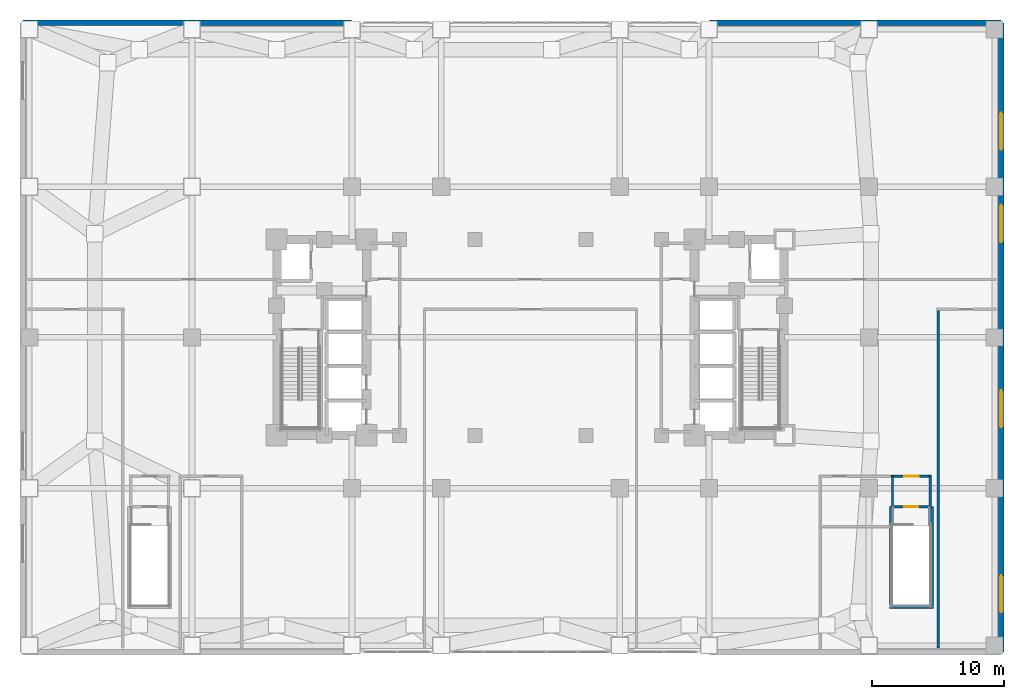
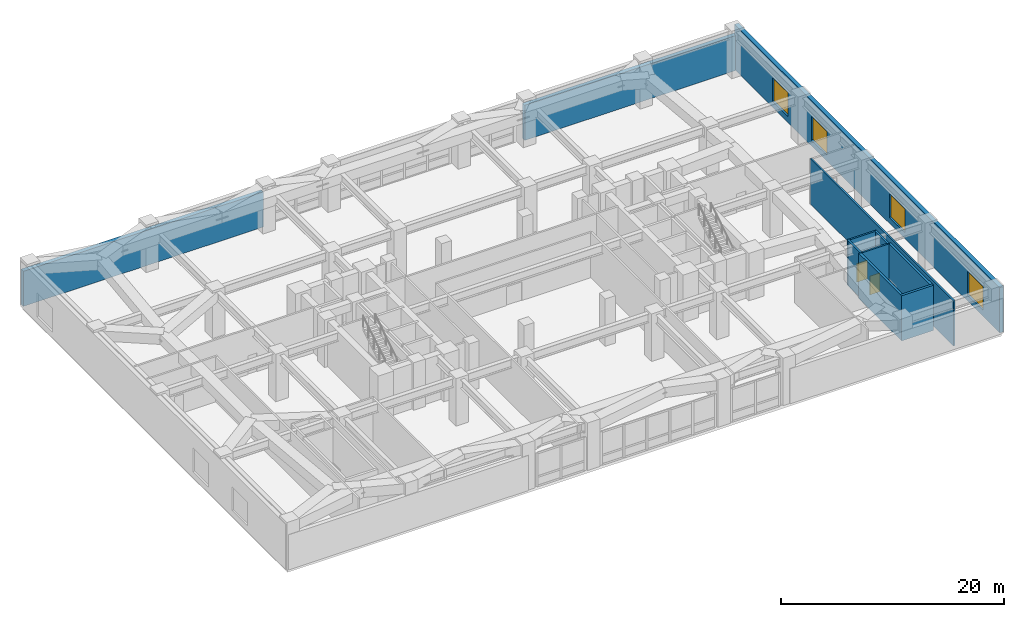
# One storey, part 17 of 20: 11 walls, 4 windows, 2 doors, 6 openings.
"""IFC4 building model written with IfcOpenShell, lengths in metres."""

from ifc_helpers import new_model, si_unit, direction, frame, frame_2d, origin, place, context, subcontext, project, spatial, rectangle, extrude, material, layer, layer_set, type_object, element, fill, save


model = new_model("IFC4")

# Units and contexts
model_context = context("Model", 3, precision=1e-05, world=origin(), true_north=direction((0.0, 1.0)))
body_context = subcontext(model_context, "Body", "Model", "MODEL_VIEW")
ifc_project = project(units=[si_unit("LENGTHUNIT", "METRE"), si_unit("AREAUNIT", "SQUARE_METRE"), si_unit("VOLUMEUNIT", "CUBIC_METRE"), si_unit("PLANEANGLEUNIT", "RADIAN"), si_unit("MASSUNIT", "GRAM", prefix="KILO")], contexts=[model_context])

# Site, building, storey
site_placement = place(None, origin())
site = spatial("IfcSite", under=ifc_project, at=site_placement, CompositionType="ELEMENT")
building_placement = place(site_placement, origin())
building = spatial("IfcBuilding", under=site, at=building_placement, Name="Voryun Gate Residences", CompositionType="ELEMENT")
storey_placement = place(building_placement, frame((0.0, 0.0, 20.800048828125)))
storey = spatial("IfcBuildingStorey", under=building, at=storey_placement, Name="L04", CompositionType="ELEMENT", Elevation=20.800048828125)

# Walls
ifc_material_1 = material(Name="Gypsum acoustic fireboard")
ifc_layer_1 = layer(ifc_material_1, 0.179931640625, Name="W_CORR_RATED_180")
ifc_layer_set_1 = layer_set([ifc_layer_1], Name="Gypsum acoustic fireboard")
wall_type_1 = type_object("IfcWallType", Name="W_CORR_RATED_180", PredefinedType="PARTITIONING", material=ifc_layer_set_1)
for number, where, z_axis, x_axis, name in (
    (1, (27.3798828125, -12.800048828125, 0.0), (0.0, 0.0, 1.0), (0.0, 1.0, 0.0), "Partition wall WP-L04-ST-P2-VW"),
    (2, (30.219970703125, -12.800048828125, 0.0), (0.0, 0.0, 1.0), (0.0, 1.0, 0.0), "Partition wall WP-L04-ST-P2-VE"),
):
    element("IfcWall", number, at=place(storey_placement, frame(where, z_axis=z_axis, x_axis=x_axis)), inside=storey, type_object=wall_type_1, Name=name, PredefinedType="PARTITIONING", context=body_context, shape_type="SweptSolid", body=[
        extrude(rectangle(XDim=2.35009765625, YDim=0.179931640625, at=frame_2d((1.175048828125, 0.0))), origin(), (0.0, 0.0, 1.0), 4.949951171875),
    ])

# Wall, opening, door
wall_1_placement = place(storey_placement, frame((27.280029296875, -12.800048828125, 0.0), z_axis=(0.0, 0.0, 1.0), x_axis=(1.0, 0.0, 0.0)))
wall_1 = element("IfcWall", 3, at=wall_1_placement, inside=storey, type_object=wall_type_1, Name="Partition wall WP-L04-ST-P2-MID", PredefinedType="PARTITIONING", context=body_context, shape_type="SweptSolid", body=[
    extrude(rectangle(XDim=3.0400390625, YDim=0.179931640625, at=frame_2d((1.52001953125, 0.0))), origin(), (0.0, 0.0, 1.0), 4.949951171875),
])
opening_1_placement = place(wall_1_placement, frame((0.9951171875, 0.0, 0.0)))
opening_1 = element("IfcOpeningElement", 4, at=opening_1_placement, cuts=wall_1, Name="Opening D-FD60-1", PredefinedType="OPENING", context=body_context, shape_type="SweptSolid", body=[
    extrude(rectangle(XDim=1.050048828125, YDim=2.050048828125, at=frame_2d((0.52490234375, 1.02490234375))), frame((0.0, 0.099853515625, 0.0), z_axis=(0.0, -1.0, 0.0), x_axis=(1.0, 0.0, 0.0)), (0.0, 0.0, 1.0), 0.199951171875),
])
ifc_material_2 = material(Name="Painted steel fire door", Category="steel")
door_type_1 = type_object("IfcDoorType", Name="DR_FD60_STAIR_1050", OperationType="NOTDEFINED", PredefinedType="DOOR", material=ifc_material_2)
door_1_placement = place(opening_1_placement, origin())
door_1 = element("IfcDoor", 5, at=door_1_placement, inside=storey, type_object=door_type_1, Name="Door DR-L04-ST-P2-IN", OperationType="SINGLE_SWING_LEFT", OverallHeight=2.050048828125, OverallWidth=1.050048828125, PredefinedType="DOOR", context=body_context, shape_type="SweptSolid", body=[
    extrude(rectangle(XDim=1.050048828125, YDim=2.050048828125, at=frame_2d((0.52490234375, 1.02490234375))), frame((0.0, 0.02490234375, 0.0), z_axis=(0.0, -1.0, 0.0), x_axis=(1.0, 0.0, 0.0)), (0.0, 0.0, 1.0), 0.050048828125),
])
fill(opening_1, door_1)

wall_2_placement = place(storey_placement, frame((27.280029296875, -10.5, 0.0), z_axis=(0.0, 0.0, 1.0), x_axis=(1.0, 0.0, 0.0)))
wall_2 = element("IfcWall", 6, at=wall_2_placement, inside=storey, type_object=wall_type_1, Name="Partition wall WP-L04-ST-P2-N", PredefinedType="PARTITIONING", context=body_context, shape_type="SweptSolid", body=[
    extrude(rectangle(XDim=3.0400390625, YDim=0.179931640625, at=frame_2d((1.52001953125, 0.0))), origin(), (0.0, 0.0, 1.0), 4.949951171875),
])
opening_2_placement = place(wall_2_placement, frame((0.969970703125, 0.0, 0.0)))
opening_2 = element("IfcOpeningElement", 7, at=opening_2_placement, cuts=wall_2, Name="Opening D-FD60-2", PredefinedType="OPENING", context=body_context, shape_type="SweptSolid", body=[
    extrude(rectangle(XDim=1.10009765625, YDim=2.050048828125, at=frame_2d((0.550048828125, 1.02490234375))), frame((0.0, 0.099853515625, 0.0), z_axis=(0.0, -1.0, 0.0), x_axis=(1.0, 0.0, 0.0)), (0.0, 0.0, 1.0), 0.199951171875),
])
ifc_material_3 = material(Name="Painted steel fire door", Category="steel")
door_type_2 = type_object("IfcDoorType", Name="DR_FD60_FFLOB_1100", OperationType="NOTDEFINED", PredefinedType="DOOR", material=ifc_material_3)
door_2_placement = place(opening_2_placement, origin())
door_2 = element("IfcDoor", 8, at=door_2_placement, inside=storey, type_object=door_type_2, Name="Door DR-L04-ST-P2-OUT", OperationType="SINGLE_SWING_RIGHT", OverallHeight=2.050048828125, OverallWidth=1.10009765625, PredefinedType="DOOR", context=body_context, shape_type="SweptSolid", body=[
    extrude(rectangle(XDim=1.10009765625, YDim=2.050048828125, at=frame_2d((0.550048828125, 1.02490234375))), frame((0.0, 0.02490234375, 0.0), z_axis=(0.0, -1.0, 0.0), x_axis=(1.0, 0.0, 0.0)), (0.0, 0.0, 1.0), 0.050048828125),
])
fill(opening_2, door_2)

# Wall
wall_3_placement = place(storey_placement, frame((30.85009765625, -23.5, 0.0), z_axis=(0.0, 0.0, 1.0), x_axis=(0.0, 1.0, 0.0)))
element("IfcWall", 9, at=wall_3_placement, inside=storey, type_object=wall_type_1, Name="Partition wall WP-L04-CS3X", PredefinedType="PARTITIONING", context=body_context, shape_type="SweptSolid", body=[
    extrude(rectangle(XDim=25.679931640625, YDim=0.179931640625, at=frame_2d((12.83984375, 0.0))), origin(), (0.0, 0.0, 1.0), 4.949951171875),
])

# Wall, openings, windows
ifc_material_4 = material(Name="Granite masonry", Category="masonry")
ifc_layer_2 = layer(ifc_material_4, 0.419921875, Name="W_EXT_PODIUM_420")
ifc_layer_set_2 = layer_set([ifc_layer_2], Name="Granite masonry")
wall_type_2 = type_object("IfcWallType", Name="W_EXT_PODIUM_420", PredefinedType="ELEMENTEDWALL", material=ifc_layer_set_2)
wall_4_placement = place(storey_placement, frame((35.60009765625, -23.800048828125, 0.0), z_axis=(0.0, 0.0, 1.0), x_axis=(0.0, 1.0, 0.0)))
wall_4 = element("IfcWall", 10, at=wall_4_placement, inside=storey, type_object=wall_type_2, Name="Exterior wall WEP-L04-2", PredefinedType="ELEMENTEDWALL", context=body_context, shape_type="SweptSolid", body=[
    extrude(rectangle(XDim=47.60009765625, YDim=0.419921875, at=frame_2d((23.800048828125, 0.0))), origin(), (0.0, 0.0, 1.0), 4.949951171875),
])
opening_3_placement = place(wall_4_placement, frame((3.0, 0.0, 0.64990234375)))
opening_3 = element("IfcOpeningElement", 11, at=opening_3_placement, cuts=wall_4, Name="Opening WN5", PredefinedType="OPENING", context=body_context, shape_type="SweptSolid", body=[
    extrude(rectangle(XDim=2.800048828125, YDim=2.60009765625, at=frame_2d((1.39990234375, 1.300048828125))), frame((0.0, 0.219970703125, 0.0), z_axis=(0.0, -1.0, 0.0), x_axis=(1.0, 0.0, 0.0)), (0.0, 0.0, 1.0), 0.43994140625),
])
opening_4_placement = place(wall_4_placement, frame((17.0, 0.0, 0.64990234375)))
opening_4 = element("IfcOpeningElement", 12, at=opening_4_placement, cuts=wall_4, Name="Opening WN5", PredefinedType="OPENING", context=body_context, shape_type="SweptSolid", body=[
    extrude(rectangle(XDim=2.800048828125, YDim=2.60009765625, at=frame_2d((1.39990234375, 1.300048828125))), frame((0.0, 0.219970703125, 0.0), z_axis=(0.0, -1.0, 0.0), x_axis=(1.0, 0.0, 0.0)), (0.0, 0.0, 1.0), 0.43994140625),
])
opening_5_placement = place(wall_4_placement, frame((31.0, 0.0, 0.64990234375)))
opening_5 = element("IfcOpeningElement", 13, at=opening_5_placement, cuts=wall_4, Name="Opening WN5", PredefinedType="OPENING", context=body_context, shape_type="SweptSolid", body=[
    extrude(rectangle(XDim=2.800048828125, YDim=2.60009765625, at=frame_2d((1.39990234375, 1.300048828125))), frame((0.0, 0.219970703125, 0.0), z_axis=(0.0, -1.0, 0.0), x_axis=(1.0, 0.0, 0.0)), (0.0, 0.0, 1.0), 0.43994140625),
])
opening_6_placement = place(wall_4_placement, frame((38.0, 0.0, 0.64990234375)))
opening_6 = element("IfcOpeningElement", 14, at=opening_6_placement, cuts=wall_4, Name="Opening WN5", PredefinedType="OPENING", context=body_context, shape_type="SweptSolid", body=[
    extrude(rectangle(XDim=2.800048828125, YDim=2.60009765625, at=frame_2d((1.39990234375, 1.300048828125))), frame((0.0, 0.219970703125, 0.0), z_axis=(0.0, -1.0, 0.0), x_axis=(1.0, 0.0, 0.0)), (0.0, 0.0, 1.0), 0.43994140625),
])
ifc_material_5 = material(Name="Laminated low-E glass", Category="glass")
window_type = type_object("IfcWindowType", Name="WN_POD_GALLERY_2800", PartitioningType="SINGLE_PANEL", PredefinedType="WINDOW", material=ifc_material_5)
window_1_placement = place(opening_3_placement, origin())
window_1 = element("IfcWindow", 15, at=window_1_placement, inside=storey, type_object=window_type, Name="Window WN-L04-2-01", OverallHeight=2.60009765625, OverallWidth=2.800048828125, PartitioningType="SINGLE_PANEL", PredefinedType="WINDOW", context=body_context, shape_type="SweptSolid", body=[
    extrude(rectangle(XDim=2.800048828125, YDim=2.60009765625, at=frame_2d((1.39990234375, 1.300048828125))), frame((0.0, 0.030029296875, 0.0), z_axis=(0.0, -1.0, 0.0), x_axis=(1.0, 0.0, 0.0)), (0.0, 0.0, 1.0), 0.06005859375),
])
fill(opening_3, window_1)
window_2_placement = place(opening_4_placement, origin())
window_2 = element("IfcWindow", 16, at=window_2_placement, inside=storey, type_object=window_type, Name="Window WN-L04-2-03", OverallHeight=2.60009765625, OverallWidth=2.800048828125, PartitioningType="SINGLE_PANEL", PredefinedType="WINDOW", context=body_context, shape_type="SweptSolid", body=[
    extrude(rectangle(XDim=2.800048828125, YDim=2.60009765625, at=frame_2d((1.39990234375, 1.300048828125))), frame((0.0, 0.030029296875, 0.0), z_axis=(0.0, -1.0, 0.0), x_axis=(1.0, 0.0, 0.0)), (0.0, 0.0, 1.0), 0.06005859375),
])
fill(opening_4, window_2)
window_3_placement = place(opening_5_placement, origin())
window_3 = element("IfcWindow", 17, at=window_3_placement, inside=storey, type_object=window_type, Name="Window WN-L04-2-05", OverallHeight=2.60009765625, OverallWidth=2.800048828125, PartitioningType="SINGLE_PANEL", PredefinedType="WINDOW", context=body_context, shape_type="SweptSolid", body=[
    extrude(rectangle(XDim=2.800048828125, YDim=2.60009765625, at=frame_2d((1.39990234375, 1.300048828125))), frame((0.0, 0.030029296875, 0.0), z_axis=(0.0, -1.0, 0.0), x_axis=(1.0, 0.0, 0.0)), (0.0, 0.0, 1.0), 0.06005859375),
])
fill(opening_5, window_3)
window_4_placement = place(opening_6_placement, origin())
window_4 = element("IfcWindow", 18, at=window_4_placement, inside=storey, type_object=window_type, Name="Window WN-L04-2-06", OverallHeight=2.60009765625, OverallWidth=2.800048828125, PartitioningType="SINGLE_PANEL", PredefinedType="WINDOW", context=body_context, shape_type="SweptSolid", body=[
    extrude(rectangle(XDim=2.800048828125, YDim=2.60009765625, at=frame_2d((1.39990234375, 1.300048828125))), frame((0.0, 0.030029296875, 0.0), z_axis=(0.0, -1.0, 0.0), x_axis=(1.0, 0.0, 0.0)), (0.0, 0.0, 1.0), 0.06005859375),
])
fill(opening_6, window_4)

# Walls
wall_5_placement = place(storey_placement, frame((-38.39990234375, 23.800048828125, 0.0), z_axis=(0.0, 0.0, 1.0), x_axis=(1.0, 0.0, 0.0)))
element("IfcWall", 19, at=wall_5_placement, inside=storey, type_object=wall_type_2, Name="Exterior wall WEP-L04-3A", PredefinedType="ELEMENTEDWALL", context=body_context, shape_type="SweptSolid", body=[
    extrude(rectangle(XDim=24.849853515625, YDim=0.419921875, at=frame_2d((12.4248046875, 0.0))), origin(), (0.0, 0.0, 1.0), 3.83984375),
])
wall_6_placement = place(storey_placement, frame((13.550048828125, 23.800048828125, 0.0), z_axis=(0.0, 0.0, 1.0), x_axis=(1.0, 0.0, 0.0)))
element("IfcWall", 20, at=wall_6_placement, inside=storey, type_object=wall_type_2, Name="Exterior wall WEP-L04-3B", PredefinedType="ELEMENTEDWALL", context=body_context, shape_type="SweptSolid", body=[
    extrude(rectangle(XDim=22.050048828125, YDim=0.419921875, at=frame_2d((11.02490234375, 0.0))), origin(), (0.0, 0.0, 1.0), 3.83984375),
])
ifc_material_6 = material(Name="Concrete C50/60", Category="concrete")
ifc_layer_3 = layer(ifc_material_6, 0.25, Name="W_SHAFT_RC250")
ifc_layer_set_3 = layer_set([ifc_layer_3], Name="Concrete C50/60")
wall_type_3 = type_object("IfcWallType", Name="W_SHAFT_RC250", PredefinedType="SOLIDWALL", material=ifc_layer_set_3)
for number, where, z_axis, x_axis, name in (
    (21, (27.260009765625, -20.485107421875, 0.0), (0.0, 0.0, 1.0), (0.0, 1.0, 0.0), "L04 Podium stair structural wall STP2-W"),
    (22, (30.340087890625, -20.485107421875, 0.0), (0.0, 0.0, 1.0), (0.0, 1.0, 0.0), "L04 Podium stair structural wall STP2-E"),
):
    element("IfcWall", number, at=place(storey_placement, frame(where, z_axis=z_axis, x_axis=x_axis)), inside=storey, type_object=wall_type_3, Name=name, PredefinedType="SOLIDWALL", context=body_context, shape_type="SweptSolid", body=[
        extrude(rectangle(XDim=7.68505859375, YDim=0.25, at=frame_2d((3.842529296875, 0.0))), origin(), (0.0, 0.0, 1.0), 4.949951171875),
    ])
wall_7_placement = place(storey_placement, frame((27.139892578125, -20.364990234375, 0.0), z_axis=(0.0, 0.0, 1.0), x_axis=(1.0, 0.0, 0.0)))
element("IfcWall", 23, at=wall_7_placement, inside=storey, type_object=wall_type_3, Name="L04 Podium stair structural wall STP2-S", PredefinedType="SOLIDWALL", context=body_context, shape_type="SweptSolid", body=[
    extrude(rectangle(XDim=3.320068359375, YDim=0.25, at=frame_2d((1.66015625, 0.0))), origin(), (0.0, 0.0, 1.0), 4.949951171875),
])

save(model, "model.ifc")
